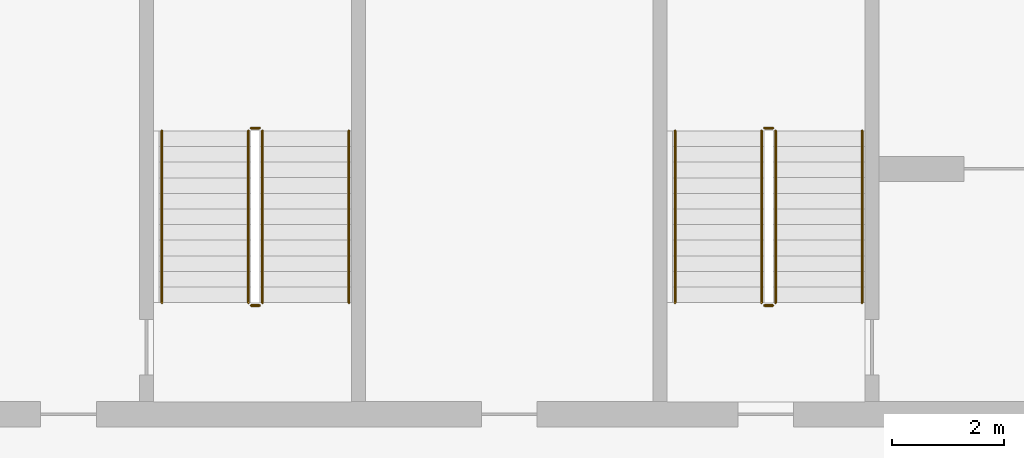
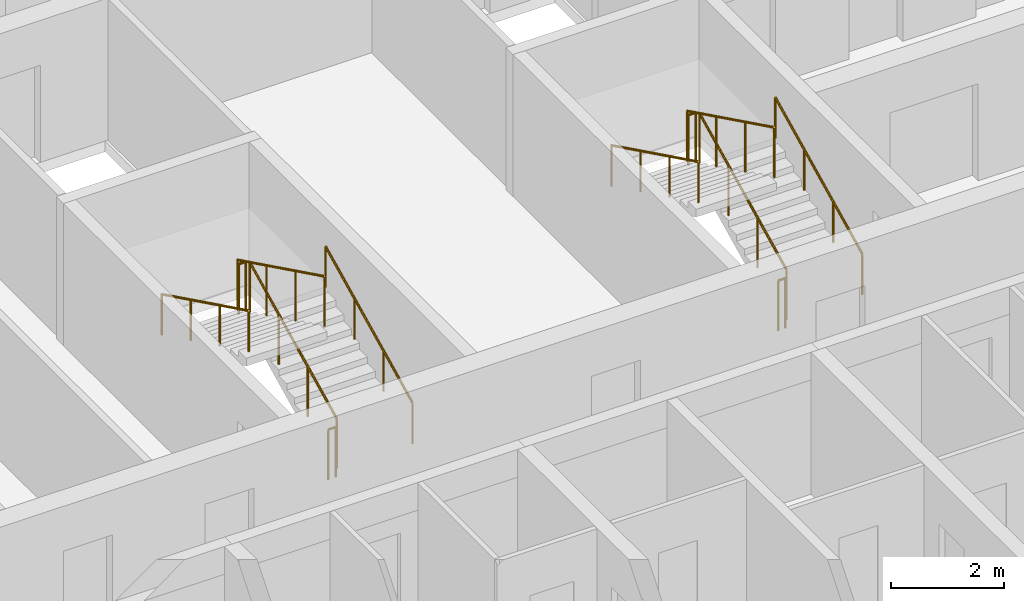
# One storey, part 14 of 31: 12 railings.
"""IFC4 building model written with IfcOpenShell, lengths in metres."""

from ifc_helpers import new_model, si_unit, direction, frame, origin, origin_2d, place, context, subcontext, project, spatial, circle, extrude, material, type_object, element, save


model = new_model("IFC4")

# Units and contexts
model_context = context("Model", 3, precision=1e-05, world=origin(), true_north=direction((0.0, 1.0)))
body_context = subcontext(model_context, "Body", "Model", "MODEL_VIEW")
ifc_project = project(units=[si_unit("LENGTHUNIT", "METRE"), si_unit("AREAUNIT", "SQUARE_METRE"), si_unit("VOLUMEUNIT", "CUBIC_METRE"), si_unit("PLANEANGLEUNIT", "RADIAN"), si_unit("MASSUNIT", "GRAM", prefix="KILO")], contexts=[model_context])

# Site, building, storey
site_placement = place(None, origin())
site = spatial("IfcSite", under=ifc_project, at=site_placement, CompositionType="ELEMENT")
building_placement = place(site_placement, origin())
building = spatial("IfcBuilding", under=site, at=building_placement, Name="Poui Terraces", CompositionType="ELEMENT")
storey_placement = place(building_placement, frame((0.0, 0.0, 145.5)))
storey = spatial("IfcBuildingStorey", under=building, at=storey_placement, Name="L40", CompositionType="ELEMENT", Elevation=145.5)

# Railings
ifc_material_1 = material(Name="Galvanised steel balustrade", Category="steel")
railing_type_1 = type_object("IfcRailingType", Name="STAIR GUARD 1100", PredefinedType="GUARDRAIL", material=ifc_material_1)
railing_1_placement = place(storey_placement, frame((32.074951171875, 16.60009765625, 0.137451171875)))
element("IfcRailing", 1, at=railing_1_placement, inside=storey, type_object=railing_type_1, Name="L40 ST-CW stair guard 1", PredefinedType="GUARDRAIL", context=body_context, shape_type="SweptSolid", body=[
    extrude(circle(Radius=0.02392578125, at=origin_2d()), frame((0.0, 0.0, 1.076171875), z_axis=(0.0, 0.897606190399, 0.440798283751), x_axis=(-1.0, 0.0, 0.0)), (0.0, 0.0, 1.0), 3.43115234375),
    extrude(circle(Radius=0.02099609375, at=origin_2d()), origin(), (0.0, 0.0, 1.0), 1.052001953125),
    extrude(circle(Radius=0.02099609375, at=origin_2d()), frame((0.0, 1.026611328125, 0.504150390625)), (0.0, 0.0, 1.0), 1.052001953125),
    extrude(circle(Radius=0.02099609375, at=origin_2d()), frame((0.0, 2.05322265625, 1.00830078125)), (0.0, 0.0, 1.0), 1.052001953125),
    extrude(circle(Radius=0.02099609375, at=origin_2d()), frame((0.0, 3.079833984375, 1.512451171875)), (0.0, 0.0, 1.0), 1.052001953125),
])
railing_2_placement = place(storey_placement, frame((32.02490234375, 19.72998046875, 1.64990234375)))
element("IfcRailing", 2, at=railing_2_placement, inside=storey, type_object=railing_type_1, Name="L40 ST-CW stair guard 2", PredefinedType="GUARDRAIL", context=body_context, shape_type="SweptSolid", body=[
    extrude(circle(Radius=0.02392578125, at=origin_2d()), frame((0.0, 0.0, 1.076171875), z_axis=(-1.0, 0.0, 0.0), x_axis=(0.0, -1.0, 0.0)), (0.0, 0.0, 1.0), 0.14990234375),
    extrude(circle(Radius=0.02099609375, at=origin_2d()), origin(), (0.0, 0.0, 1.0), 1.052001953125),
    extrude(circle(Radius=0.02099609375, at=origin_2d()), frame((-0.14990234375, 0.0, 0.0)), (0.0, 0.0, 1.0), 1.052001953125),
])
railing_3_placement = place(storey_placement, frame((31.824951171875, 19.679931640625, 1.78759765625)))
element("IfcRailing", 3, at=railing_3_placement, inside=storey, type_object=railing_type_1, Name="L40 ST-CW stair guard 3", PredefinedType="GUARDRAIL", context=body_context, shape_type="SweptSolid", body=[
    extrude(circle(Radius=0.02392578125, at=origin_2d()), frame((0.0, 0.0, 1.076171875), z_axis=(0.0, -0.897606190399, 0.440798283751), x_axis=(1.0, 0.0, 0.0)), (0.0, 0.0, 1.0), 3.43115234375),
    extrude(circle(Radius=0.02099609375, at=origin_2d()), origin(), (0.0, 0.0, 1.0), 1.052001953125),
    extrude(circle(Radius=0.02099609375, at=origin_2d()), frame((0.0, -1.026611328125, 0.504150390625)), (0.0, 0.0, 1.0), 1.052001953125),
    extrude(circle(Radius=0.02099609375, at=origin_2d()), frame((0.0, -2.05322265625, 1.00830078125)), (0.0, 0.0, 1.0), 1.052001953125),
    extrude(circle(Radius=0.02099609375, at=origin_2d()), frame((0.0, -3.079833984375, 1.512451171875)), (0.0, 0.0, 1.0), 1.052001953125),
])
railing_4_placement = place(storey_placement, frame((32.02490234375, 16.550048828125, 0.0)))
element("IfcRailing", 4, at=railing_4_placement, inside=storey, type_object=railing_type_1, Name="L40 ST-CW stair guard 4", PredefinedType="GUARDRAIL", context=body_context, shape_type="SweptSolid", body=[
    extrude(circle(Radius=0.02392578125, at=origin_2d()), frame((0.0, 0.0, 1.076171875), z_axis=(-1.0, 0.0, 0.0), x_axis=(0.0, -1.0, 0.0)), (0.0, 0.0, 1.0), 0.14990234375),
    extrude(circle(Radius=0.02099609375, at=origin_2d()), origin(), (0.0, 0.0, 1.0), 1.052001953125),
    extrude(circle(Radius=0.02099609375, at=origin_2d()), frame((-0.14990234375, 0.0, 0.0)), (0.0, 0.0, 1.0), 1.052001953125),
])
railing_5_placement = place(storey_placement, frame((22.875, 16.60009765625, 0.137451171875)))
element("IfcRailing", 5, at=railing_5_placement, inside=storey, type_object=railing_type_1, Name="L40 ST-W stair guard 1", PredefinedType="GUARDRAIL", context=body_context, shape_type="SweptSolid", body=[
    extrude(circle(Radius=0.02392578125, at=origin_2d()), frame((0.0, 0.0, 1.076171875), z_axis=(0.0, 0.897606190399, 0.440798283751), x_axis=(-1.0, 0.0, 0.0)), (0.0, 0.0, 1.0), 3.43115234375),
    extrude(circle(Radius=0.02099609375, at=origin_2d()), origin(), (0.0, 0.0, 1.0), 1.052001953125),
    extrude(circle(Radius=0.02099609375, at=origin_2d()), frame((0.0, 1.026611328125, 0.504150390625)), (0.0, 0.0, 1.0), 1.052001953125),
    extrude(circle(Radius=0.02099609375, at=origin_2d()), frame((0.0, 2.05322265625, 1.00830078125)), (0.0, 0.0, 1.0), 1.052001953125),
    extrude(circle(Radius=0.02099609375, at=origin_2d()), frame((0.0, 3.079833984375, 1.512451171875)), (0.0, 0.0, 1.0), 1.052001953125),
])
railing_6_placement = place(storey_placement, frame((22.824951171875, 19.72998046875, 1.64990234375)))
element("IfcRailing", 6, at=railing_6_placement, inside=storey, type_object=railing_type_1, Name="L40 ST-W stair guard 2", PredefinedType="GUARDRAIL", context=body_context, shape_type="SweptSolid", body=[
    extrude(circle(Radius=0.02392578125, at=origin_2d()), frame((0.0, 0.0, 1.076171875), z_axis=(-1.0, 0.0, 0.0), x_axis=(0.0, -1.0, 0.0)), (0.0, 0.0, 1.0), 0.14990234375),
    extrude(circle(Radius=0.02099609375, at=origin_2d()), origin(), (0.0, 0.0, 1.0), 1.052001953125),
    extrude(circle(Radius=0.02099609375, at=origin_2d()), frame((-0.14990234375, 0.0, 0.0)), (0.0, 0.0, 1.0), 1.052001953125),
])
railing_7_placement = place(storey_placement, frame((22.625, 19.679931640625, 1.78759765625)))
element("IfcRailing", 7, at=railing_7_placement, inside=storey, type_object=railing_type_1, Name="L40 ST-W stair guard 3", PredefinedType="GUARDRAIL", context=body_context, shape_type="SweptSolid", body=[
    extrude(circle(Radius=0.02392578125, at=origin_2d()), frame((0.0, 0.0, 1.076171875), z_axis=(0.0, -0.897606190399, 0.440798283751), x_axis=(1.0, 0.0, 0.0)), (0.0, 0.0, 1.0), 3.43115234375),
    extrude(circle(Radius=0.02099609375, at=origin_2d()), origin(), (0.0, 0.0, 1.0), 1.052001953125),
    extrude(circle(Radius=0.02099609375, at=origin_2d()), frame((0.0, -1.026611328125, 0.504150390625)), (0.0, 0.0, 1.0), 1.052001953125),
    extrude(circle(Radius=0.02099609375, at=origin_2d()), frame((0.0, -2.05322265625, 1.00830078125)), (0.0, 0.0, 1.0), 1.052001953125),
    extrude(circle(Radius=0.02099609375, at=origin_2d()), frame((0.0, -3.079833984375, 1.512451171875)), (0.0, 0.0, 1.0), 1.052001953125),
])
railing_8_placement = place(storey_placement, frame((22.824951171875, 16.550048828125, 0.0)))
element("IfcRailing", 8, at=railing_8_placement, inside=storey, type_object=railing_type_1, Name="L40 ST-W stair guard 4", PredefinedType="GUARDRAIL", context=body_context, shape_type="SweptSolid", body=[
    extrude(circle(Radius=0.02392578125, at=origin_2d()), frame((0.0, 0.0, 1.076171875), z_axis=(-1.0, 0.0, 0.0), x_axis=(0.0, -1.0, 0.0)), (0.0, 0.0, 1.0), 0.14990234375),
    extrude(circle(Radius=0.02099609375, at=origin_2d()), origin(), (0.0, 0.0, 1.0), 1.052001953125),
    extrude(circle(Radius=0.02099609375, at=origin_2d()), frame((-0.14990234375, 0.0, 0.0)), (0.0, 0.0, 1.0), 1.052001953125),
])
ifc_material_2 = material(Name="Stainless steel handrail", Category="steel")
railing_type_2 = type_object("IfcRailingType", Name="STAIR HANDRAIL 900", PredefinedType="HANDRAIL", material=ifc_material_2)
railing_9_placement = place(storey_placement, frame((33.625, 16.60009765625, 0.137451171875)))
element("IfcRailing", 9, at=railing_9_placement, inside=storey, type_object=railing_type_2, Name="L40 ST-CW stair handrail 1", PredefinedType="HANDRAIL", context=body_context, shape_type="SweptSolid", body=[
    extrude(circle(Radius=0.02392578125, at=origin_2d()), frame((0.0, 0.0, 0.8759765625), z_axis=(0.0, 0.897606190399, 0.440798283751), x_axis=(-1.0, 0.0, 0.0)), (0.0, 0.0, 1.0), 3.43115234375),
    extrude(circle(Radius=0.02099609375, at=origin_2d()), origin(), (0.0, 0.0, 1.0), 0.851806640625),
    extrude(circle(Radius=0.02099609375, at=origin_2d()), frame((0.0, 1.026611328125, 0.504150390625)), (0.0, 0.0, 1.0), 0.851806640625),
    extrude(circle(Radius=0.02099609375, at=origin_2d()), frame((0.0, 2.05322265625, 1.00830078125)), (0.0, 0.0, 1.0), 0.851806640625),
    extrude(circle(Radius=0.02099609375, at=origin_2d()), frame((0.0, 3.079833984375, 1.512451171875)), (0.0, 0.0, 1.0), 0.851806640625),
])
railing_10_placement = place(storey_placement, frame((30.27490234375, 19.679931640625, 1.78759765625)))
element("IfcRailing", 10, at=railing_10_placement, inside=storey, type_object=railing_type_2, Name="L40 ST-CW stair handrail 2", PredefinedType="HANDRAIL", context=body_context, shape_type="SweptSolid", body=[
    extrude(circle(Radius=0.02392578125, at=origin_2d()), frame((0.0, 0.0, 0.8759765625), z_axis=(0.0, -0.897606190399, 0.440798283751), x_axis=(1.0, 0.0, 0.0)), (0.0, 0.0, 1.0), 3.43115234375),
    extrude(circle(Radius=0.02099609375, at=origin_2d()), origin(), (0.0, 0.0, 1.0), 0.851806640625),
    extrude(circle(Radius=0.02099609375, at=origin_2d()), frame((0.0, -1.026611328125, 0.504150390625)), (0.0, 0.0, 1.0), 0.851806640625),
    extrude(circle(Radius=0.02099609375, at=origin_2d()), frame((0.0, -2.05322265625, 1.00830078125)), (0.0, 0.0, 1.0), 0.851806640625),
    extrude(circle(Radius=0.02099609375, at=origin_2d()), frame((0.0, -3.079833984375, 1.512451171875)), (0.0, 0.0, 1.0), 0.851806640625),
])
railing_11_placement = place(storey_placement, frame((24.425048828125, 16.60009765625, 0.137451171875)))
element("IfcRailing", 11, at=railing_11_placement, inside=storey, type_object=railing_type_2, Name="L40 ST-W stair handrail 1", PredefinedType="HANDRAIL", context=body_context, shape_type="SweptSolid", body=[
    extrude(circle(Radius=0.02392578125, at=origin_2d()), frame((0.0, 0.0, 0.8759765625), z_axis=(0.0, 0.897606190399, 0.440798283751), x_axis=(-1.0, 0.0, 0.0)), (0.0, 0.0, 1.0), 3.43115234375),
    extrude(circle(Radius=0.02099609375, at=origin_2d()), origin(), (0.0, 0.0, 1.0), 0.851806640625),
    extrude(circle(Radius=0.02099609375, at=origin_2d()), frame((0.0, 1.026611328125, 0.504150390625)), (0.0, 0.0, 1.0), 0.851806640625),
    extrude(circle(Radius=0.02099609375, at=origin_2d()), frame((0.0, 2.05322265625, 1.00830078125)), (0.0, 0.0, 1.0), 0.851806640625),
    extrude(circle(Radius=0.02099609375, at=origin_2d()), frame((0.0, 3.079833984375, 1.512451171875)), (0.0, 0.0, 1.0), 0.851806640625),
])
railing_12_placement = place(storey_placement, frame((21.074951171875, 19.679931640625, 1.78759765625)))
element("IfcRailing", 12, at=railing_12_placement, inside=storey, type_object=railing_type_2, Name="L40 ST-W stair handrail 2", PredefinedType="HANDRAIL", context=body_context, shape_type="SweptSolid", body=[
    extrude(circle(Radius=0.02392578125, at=origin_2d()), frame((0.0, 0.0, 0.8759765625), z_axis=(0.0, -0.897606190399, 0.440798283751), x_axis=(1.0, 0.0, 0.0)), (0.0, 0.0, 1.0), 3.43115234375),
    extrude(circle(Radius=0.02099609375, at=origin_2d()), origin(), (0.0, 0.0, 1.0), 0.851806640625),
    extrude(circle(Radius=0.02099609375, at=origin_2d()), frame((0.0, -1.026611328125, 0.504150390625)), (0.0, 0.0, 1.0), 0.851806640625),
    extrude(circle(Radius=0.02099609375, at=origin_2d()), frame((0.0, -2.05322265625, 1.00830078125)), (0.0, 0.0, 1.0), 0.851806640625),
    extrude(circle(Radius=0.02099609375, at=origin_2d()), frame((0.0, -3.079833984375, 1.512451171875)), (0.0, 0.0, 1.0), 0.851806640625),
])

save(model, "model.ifc")
